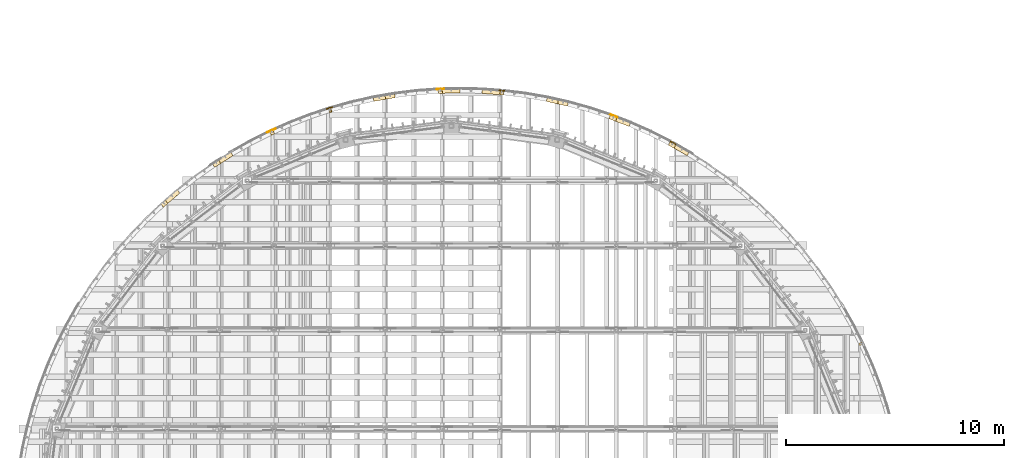
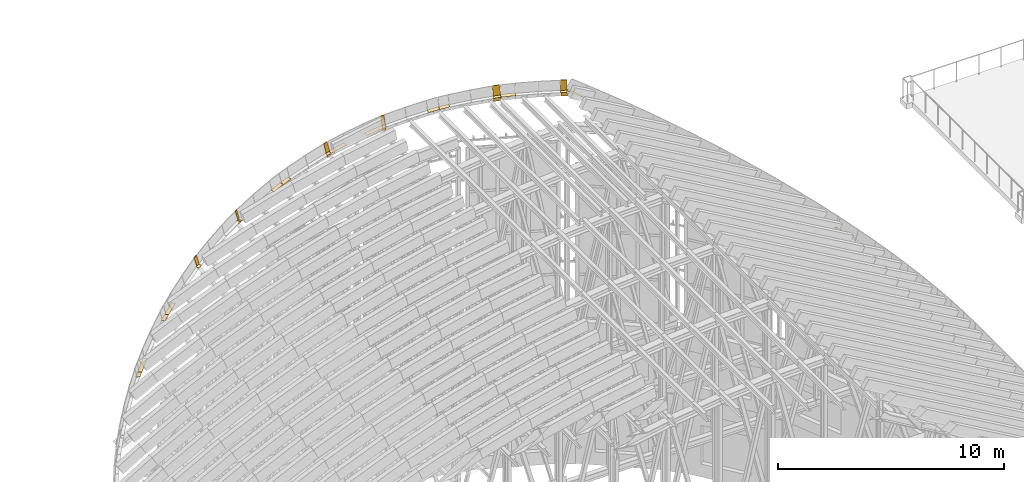
# One storey, part 104 of 105: 25 coverings.
"""IFC4 building model written with IfcOpenShell, lengths in metres."""

from ifc_helpers import new_model, si_unit, direction, frame, origin, origin_2d, place, context, subcontext, project, spatial, polyline, rectangle, outline, extrude, material, material_profile, profile_set, type_object, element, save


model = new_model("IFC4")

# Units and contexts
model_context = context("Model", 3, precision=1e-05, world=origin(), true_north=direction((0.0, 1.0)))
body_context = subcontext(model_context, "Body", "Model", "MODEL_VIEW")
ifc_project = project(units=[si_unit("LENGTHUNIT", "METRE"), si_unit("AREAUNIT", "SQUARE_METRE"), si_unit("VOLUMEUNIT", "CUBIC_METRE"), si_unit("PLANEANGLEUNIT", "RADIAN"), si_unit("MASSUNIT", "GRAM", prefix="KILO")], contexts=[model_context])

# Site, building, storey
site_placement = place(None, origin())
site = spatial("IfcSite", under=ifc_project, at=site_placement, CompositionType="ELEMENT")
building_placement = place(site_placement, origin())
building = spatial("IfcBuilding", under=site, at=building_placement, Name="Wasatch Bagh Community Centre", CompositionType="ELEMENT")
storey_placement = place(building_placement, frame((0.0, 0.0, 16.800048828125)))
storey = spatial("IfcBuildingStorey", under=building, at=storey_placement, Name="L04", CompositionType="ELEMENT", Elevation=16.800048828125)

# Coverings
ifc_material = material(Name="ASTM A653 Grade 50 steel, zinc-aluminium coated", Category="steel")
ifc_material_profile_1 = material_profile(ifc_material, outline(polyline([(-0.080078125, 0.0029296875), (0.152099609375, 0.0029296875), (0.152099609375, -0.031982421875), (0.14892578125, -0.031982421875), (0.14892578125, 0.0), (-0.080078125, 0.0), (-0.080078125, 0.0029296875)])), Name="DRIP EDGE")
ifc_profile_set_1 = profile_set([ifc_material_profile_1], Name="ASTM A653 Grade 50 steel, zinc-aluminium coated")
covering_type_1 = type_object("IfcCoveringType", Name="MH drip edge", PredefinedType="CLADDING", material=ifc_profile_set_1)
covering_1_placement = place(storey_placement, frame((22.736572265625, 80.080810546875, 13.083984375), z_axis=(0.701915068317, 0.605359765857, 0.375306262605), x_axis=(-0.533948239954, 0.795951958722, -0.285236316862)))
element("IfcCovering", 1, at=covering_1_placement, inside=storey, type_object=covering_type_1, Name="Drip edge 103", PredefinedType="CLADDING", context=body_context, shape_type="SweptSolid", body=[
    extrude(outline(polyline([(-0.080078125, 0.0029296875), (0.152099609375, 0.0029296875), (0.152099609375, -0.031982421875), (0.14892578125, -0.031982421875), (0.14892578125, 0.0), (-0.080078125, 0.0), (-0.080078125, 0.0029296875)])), origin(), (0.0, 0.0, 1.0), 0.290771484375),
])
covering_2_placement = place(storey_placement, frame((22.9462890625, 80.26171875, 13.182861328125), z_axis=(0.71357096409, 0.61535835396, 0.334888900114), x_axis=(-0.557005563375, 0.788247477428, -0.261554423969)))
element("IfcCovering", 2, at=covering_2_placement, inside=storey, type_object=covering_type_1, Name="Drip edge 104", PredefinedType="CLADDING", context=body_context, shape_type="SweptSolid", body=[
    extrude(outline(polyline([(-0.080078125, 0.0029296875), (0.152099609375, 0.0029296875), (0.152099609375, -0.031982421875), (0.14892578125, -0.031982421875), (0.14892578125, 0.0), (-0.080078125, 0.0), (-0.080078125, 0.0029296875)])), origin(), (0.0, 0.0, 1.0), 0.75830078125),
])
covering_3_placement = place(storey_placement, frame((25.09716796875, 81.92236328125, 14.192626953125), z_axis=(0.78535948337, 0.497160601526, 0.368838471654), x_axis=(-0.450008908102, 0.867658536631, -0.211330656648)))
element("IfcCovering", 3, at=covering_3_placement, inside=storey, type_object=covering_type_1, Name="Drip edge 107", PredefinedType="CLADDING", context=body_context, shape_type="SweptSolid", body=[
    extrude(outline(polyline([(-0.080078125, 0.0029296875), (0.152099609375, 0.0029296875), (0.152099609375, -0.031982421875), (0.14892578125, -0.031982421875), (0.14892578125, 0.0), (-0.080078125, 0.0), (-0.080078125, 0.0029296875)])), origin(), (0.0, 0.0, 1.0), 0.34814453125),
])
covering_4_placement = place(storey_placement, frame((25.376953125, 82.099609375, 14.312744140625), z_axis=(0.798894158727, 0.505558404166, 0.325850921634), x_axis=(-0.468076679858, 0.86279238033, -0.1910327988)))
element("IfcCovering", 4, at=covering_4_placement, inside=storey, type_object=covering_type_1, Name="Drip edge 108", PredefinedType="CLADDING", context=body_context, shape_type="SweptSolid", body=[
    extrude(outline(polyline([(-0.080078125, 0.0029296875), (0.152099609375, 0.0029296875), (0.152099609375, -0.031982421875), (0.14892578125, -0.031982421875), (0.14892578125, 0.0), (-0.080078125, 0.0), (-0.080078125, 0.0029296875)])), origin(), (0.0, 0.0, 1.0), 0.6982421875),
])
covering_5_placement = place(storey_placement, frame((27.70263671875, 83.397705078125, 15.26123046875), z_axis=(0.856694982485, 0.379393492244, 0.349477159522), x_axis=(-0.351247752952, 0.925235412268, -0.143403095964)))
element("IfcCovering", 5, at=covering_5_placement, inside=storey, type_object=covering_type_1, Name="Drip edge 111", PredefinedType="CLADDING", context=body_context, shape_type="SweptSolid", body=[
    extrude(outline(polyline([(-0.080078125, 0.0029296875), (0.152099609375, 0.0029296875), (0.152099609375, -0.031982421875), (0.14892578125, -0.031982421875), (0.14892578125, 0.0), (-0.080078125, 0.0), (-0.080078125, 0.0029296875)])), origin(), (0.0, 0.0, 1.0), 0.179443359375),
])
covering_6_placement = place(storey_placement, frame((30.398681640625, 84.442626953125, 16.19384765625), z_axis=(0.915191375228, 0.301765804805, 0.267136941958), x_axis=(-0.289634105959, 0.953382073003, -0.084703645385)))
element("IfcCovering", 6, at=covering_6_placement, inside=storey, type_object=covering_type_1, Name="Drip edge 115", PredefinedType="CLADDING", context=body_context, shape_type="SweptSolid", body=[
    extrude(outline(polyline([(-0.080078125, 0.0029296875), (0.152099609375, 0.0029296875), (0.152099609375, -0.031982421875), (0.14892578125, -0.031982421875), (0.14892578125, 0.0), (-0.080078125, 0.0), (-0.080078125, 0.0029296875)])), origin(), (0.0, 0.0, 1.0), 0.0986328125),
])
covering_7_placement = place(storey_placement, frame((32.43359375, 84.959716796875, 16.787841796875), z_axis=(0.947013161457, 0.164171989669, 0.276068161574), x_axis=(-0.157582948766, 0.986431724776, -0.046044181095)))
element("IfcCovering", 7, at=covering_7_placement, inside=storey, type_object=covering_type_1, Name="Drip edge 118", PredefinedType="CLADDING", context=body_context, shape_type="SweptSolid", body=[
    extrude(outline(polyline([(-0.080078125, 0.0029296875), (0.152099609375, 0.0029296875), (0.152099609375, -0.031982421875), (0.14892578125, -0.031982421875), (0.14892578125, 0.0), (-0.080078125, 0.0), (-0.080078125, 0.0029296875)])), origin(), (0.0, 0.0, 1.0), 0.565185546875),
])
covering_8_placement = place(storey_placement, frame((32.976318359375, 85.0537109375, 16.939697265625), z_axis=(0.959544365103, 0.166853803499, 0.226791577571), x_axis=(-0.162387918423, 0.985981646424, -0.038345232636)))
element("IfcCovering", 8, at=covering_8_placement, inside=storey, type_object=covering_type_1, Name="Drip edge 119", PredefinedType="CLADDING", context=body_context, shape_type="SweptSolid", body=[
    extrude(outline(polyline([(-0.080078125, 0.0029296875), (0.152099609375, 0.0029296875), (0.152099609375, -0.031982421875), (0.14892578125, -0.031982421875), (0.14892578125, 0.0), (-0.080078125, 0.0), (-0.080078125, 0.0029296875)])), origin(), (0.0, 0.0, 1.0), 0.4521484375),
])
covering_9_placement = place(storey_placement, frame((35.4052734375, 85.32568359375, 17.514404296875), z_axis=(0.972752598419, 0.022935914248, 0.230708313911), x_axis=(-0.022267916948, 0.999736914851, -0.005499177972)))
element("IfcCovering", 9, at=covering_9_placement, inside=storey, type_object=covering_type_1, Name="Drip edge 122", PredefinedType="CLADDING", context=body_context, shape_type="SweptSolid", body=[
    extrude(outline(polyline([(-0.080078125, 0.0029296875), (0.152099609375, 0.0029296875), (0.152099609375, -0.031982421875), (0.14892578125, -0.031982421875), (0.14892578125, 0.0), (-0.080078125, 0.0), (-0.080078125, 0.0029296875)])), origin(), (0.0, 0.0, 1.0), 0.180908203125),
])
covering_10_placement = place(storey_placement, frame((35.589111328125, 85.330078125, 17.552734375), z_axis=(0.983421826745, 0.024102017539, 0.17972368634), x_axis=(-0.023708125638, 0.999709504159, -0.004339593716)))
element("IfcCovering", 10, at=covering_10_placement, inside=storey, type_object=covering_type_1, Name="Drip edge 123", PredefinedType="CLADDING", context=body_context, shape_type="SweptSolid", body=[
    extrude(outline(polyline([(-0.080078125, 0.0029296875), (0.152099609375, 0.0029296875), (0.152099609375, -0.031982421875), (0.14892578125, -0.031982421875), (0.14892578125, 0.0), (-0.080078125, 0.0), (-0.080078125, 0.0029296875)])), origin(), (0.0, 0.0, 1.0), 0.820556640625),
])
covering_11_placement = place(storey_placement, frame((37.40234375, 85.3251953125, 17.884033203125), z_axis=(0.981116574311, -0.072437305873, 0.179340749219), x_axis=(0.071259546281, 0.997372967579, 0.013009250818)))
element("IfcCovering", 11, at=covering_11_placement, inside=storey, type_object=covering_type_1, Name="Drip edge 125", PredefinedType="CLADDING", context=body_context, shape_type="SweptSolid", body=[
    extrude(outline(polyline([(-0.080078125, 0.0029296875), (0.152099609375, 0.0029296875), (0.152099609375, -0.031982421875), (0.14892578125, -0.031982421875), (0.14892578125, 0.0), (-0.080078125, 0.0), (-0.080078125, 0.0029296875)])), origin(), (0.0, 0.0, 1.0), 0.8359375),
])
covering_12_placement = place(storey_placement, frame((38.23046875, 85.26416015625, 18.031494140625), z_axis=(0.988999917952, -0.073873469481, 0.128147855222), x_axis=(0.073273992334, 0.997267617237, 0.009392638508)))
element("IfcCovering", 12, at=covering_12_placement, inside=storey, type_object=covering_type_1, Name="Drip edge 126", PredefinedType="CLADDING", context=body_context, shape_type="SweptSolid", body=[
    extrude(outline(polyline([(-0.080078125, 0.0029296875), (0.152099609375, 0.0029296875), (0.152099609375, -0.031982421875), (0.14892578125, -0.031982421875), (0.14892578125, 0.0), (-0.080078125, 0.0), (-0.080078125, 0.0029296875)])), origin(), (0.0, 0.0, 1.0), 0.161865234375),
])
covering_13_placement = place(storey_placement, frame((40.3740234375, 84.9580078125, 18.309814453125), z_axis=(0.967980799537, -0.217264076305, 0.125735805862), x_axis=(0.215454435456, 0.97611286291, 0.027983300453)))
element("IfcCovering", 13, at=covering_13_placement, inside=storey, type_object=covering_type_1, Name="Drip edge 129", PredefinedType="CLADDING", context=body_context, shape_type="SweptSolid", body=[
    extrude(outline(polyline([(-0.080078125, 0.0029296875), (0.152099609375, 0.0029296875), (0.152099609375, -0.031982421875), (0.14892578125, -0.031982421875), (0.14892578125, 0.0), (-0.080078125, 0.0), (-0.080078125, 0.0029296875)])), origin(), (0.0, 0.0, 1.0), 0.528076171875),
])
covering_14_placement = place(storey_placement, frame((40.892822265625, 84.841552734375, 18.37451171875), z_axis=(0.972939906106, -0.218447542951, 0.075290172571), x_axis=(0.217792351392, 0.975848691323, 0.016906310003)))
element("IfcCovering", 14, at=covering_14_placement, inside=storey, type_object=covering_type_1, Name="Drip edge 130", PredefinedType="CLADDING", context=body_context, shape_type="SweptSolid", body=[
    extrude(outline(polyline([(-0.080078125, 0.0029296875), (0.152099609375, 0.0029296875), (0.152099609375, -0.031982421875), (0.14892578125, -0.031982421875), (0.14892578125, 0.0), (-0.080078125, 0.0), (-0.080078125, 0.0029296875)])), origin(), (0.0, 0.0, 1.0), 0.46044921875),
])
covering_15_placement = place(storey_placement, frame((43.259521484375, 84.158935546875, 18.55810546875), z_axis=(0.930598188838, -0.358730592149, 0.072796793804), x_axis=(0.357653742925, 0.933441121228, 0.027775409486)))
element("IfcCovering", 15, at=covering_15_placement, inside=storey, type_object=covering_type_1, Name="Drip edge 133", PredefinedType="CLADDING", context=body_context, shape_type="SweptSolid", body=[
    extrude(outline(polyline([(-0.080078125, 0.0029296875), (0.152099609375, 0.0029296875), (0.152099609375, -0.031982421875), (0.14892578125, -0.031982421875), (0.14892578125, 0.0), (-0.080078125, 0.0), (-0.080078125, 0.0029296875)])), origin(), (0.0, 0.0, 1.0), 0.3251953125),
])
covering_16_placement = place(storey_placement, frame((43.569580078125, 84.039306640625, 18.580810546875), z_axis=(0.93278760393, -0.359620022183, 0.024098248909), x_axis=(0.359500043362, 0.933098837018, 0.009288658587)))
element("IfcCovering", 16, at=covering_16_placement, inside=storey, type_object=covering_type_1, Name="Drip edge 134", PredefinedType="CLADDING", context=body_context, shape_type="SweptSolid", body=[
    extrude(outline(polyline([(-0.080078125, 0.0029296875), (0.152099609375, 0.0029296875), (0.152099609375, -0.031982421875), (0.14892578125, -0.031982421875), (0.14892578125, 0.0), (-0.080078125, 0.0), (-0.080078125, 0.0029296875)])), origin(), (0.0, 0.0, 1.0), 0.658447265625),
])
covering_17_placement = place(storey_placement, frame((45.996337890625, 82.945068359375, 18.6435546875), z_axis=(0.870113515799, -0.492356916257, 0.022071172108), x_axis=(0.492192570825, 0.870393373398, 0.01272197981)))
element("IfcCovering", 17, at=covering_17_placement, inside=storey, type_object=covering_type_1, Name="Drip edge 137", PredefinedType="CLADDING", context=body_context, shape_type="SweptSolid", body=[
    extrude(outline(polyline([(-0.080078125, 0.0029296875), (0.152099609375, 0.0029296875), (0.152099609375, -0.031982421875), (0.14892578125, -0.031982421875), (0.14892578125, 0.0), (-0.080078125, 0.0), (-0.080078125, 0.0029296875)])), origin(), (0.0, 0.0, 1.0), 0.28759765625),
])
covering_18_placement = place(storey_placement, frame((46.253173828125, 82.7998046875, 18.7177734375), z_axis=(0.777376884038, -0.440544900829, -0.449004866919), x_axis=(0.381559442656, 0.897730567476, -0.220209491028)))
element("IfcCovering", 18, at=covering_18_placement, inside=storey, type_object=covering_type_1, Name="Drip edge 138", PredefinedType="CLADDING", context=body_context, shape_type="SweptSolid", body=[
    extrude(outline(polyline([(-0.080078125, 0.0029296875), (0.152099609375, 0.0029296875), (0.152099609375, -0.031982421875), (0.14892578125, -0.031982421875), (0.14892578125, 0.0), (-0.080078125, 0.0), (-0.080078125, 0.0029296875)])), origin(), (0.0, 0.0, 1.0), 0.779296875),
])
covering_19_placement = place(storey_placement, frame((54.751708984375, 73.7890625, 13.81103515625), z_axis=(0.434884962404, -0.864799810953, -0.250990749731), x_axis=(0.748987119776, 0.502116805755, -0.432315865761)))
element("IfcCovering", 19, at=covering_19_placement, inside=storey, type_object=covering_type_1, Name="Drip edge 151", PredefinedType="CLADDING", context=body_context, shape_type="SweptSolid", body=[
    extrude(outline(polyline([(-0.080078125, 0.0029296875), (0.152099609375, 0.0029296875), (0.152099609375, -0.031982421875), (0.14892578125, -0.031982421875), (0.14892578125, 0.0), (-0.080078125, 0.0), (-0.080078125, 0.0029296875)])), origin(), (0.0, 0.0, 1.0), 0.09814453125),
])
ifc_material_profile_2 = material_profile(ifc_material, rectangle(XDim=0.0400390625, YDim=0.85009765625, at=origin_2d()), Name="FASCIA 40x850")
ifc_profile_set_2 = profile_set([ifc_material_profile_2], Name="ASTM A653 Grade 50 steel, zinc-aluminium coated")
covering_type_2 = type_object("IfcCoveringType", Name="MH eave fascia 40x850", PredefinedType="CLADDING", material=ifc_profile_set_2)
covering_20_placement = place(storey_placement, frame((27.654052734375, 83.50732421875, 15.4130859375), z_axis=(0.856252554231, 0.38055669077, 0.349296676885), x_axis=(-0.406138466053, 0.91381154862, 0.0)))
element("IfcCovering", 20, at=covering_20_placement, inside=storey, type_object=covering_type_2, Name="Eave fascia 111", PredefinedType="CLADDING", context=body_context, shape_type="SweptSolid", body=[
    extrude(rectangle(XDim=0.0400390625, YDim=0.85009765625, at=origin_2d()), origin(), (0.0, 0.0, 1.0), 0.1796875),
])
covering_21_placement = place(storey_placement, frame((30.361083984375, 84.556640625, 16.334228515625), z_axis=(0.915191375228, 0.301765804805, 0.267136941958), x_axis=(-0.313145974944, 0.949705005976, 0.0)))
element("IfcCovering", 21, at=covering_21_placement, inside=storey, type_object=covering_type_2, Name="Eave fascia 115", PredefinedType="CLADDING", context=body_context, shape_type="SweptSolid", body=[
    extrude(rectangle(XDim=0.0400390625, YDim=0.85009765625, at=origin_2d()), origin(), (0.0, 0.0, 1.0), 0.0986328125),
])
covering_22_placement = place(storey_placement, frame((35.40234375, 85.445556640625, 17.65087890625), z_axis=(0.973023623556, 0.024291851906, 0.229423045776), x_axis=(-0.024957549533, 0.999688511848, 0.0)))
element("IfcCovering", 22, at=covering_22_placement, inside=storey, type_object=covering_type_2, Name="Eave fascia 122", PredefinedType="CLADDING", context=body_context, shape_type="SweptSolid", body=[
    extrude(rectangle(XDim=0.0400390625, YDim=0.85009765625, at=origin_2d()), origin(), (0.0, 0.0, 1.0), 0.180908203125),
])
covering_23_placement = place(storey_placement, frame((38.2392578125, 85.3837890625, 18.159912109375), z_axis=(0.988916755357, -0.072359762587, 0.129644574635), x_axis=(0.072975638312, 0.997333723592, 0.0)))
element("IfcCovering", 23, at=covering_23_placement, inside=storey, type_object=covering_type_2, Name="Eave fascia 126", PredefinedType="CLADDING", context=body_context, shape_type="SweptSolid", body=[
    extrude(rectangle(XDim=0.0400390625, YDim=0.85009765625, at=origin_2d()), origin(), (0.0, 0.0, 1.0), 0.161865234375),
])
covering_24_placement = place(storey_placement, frame((43.302734375, 84.27099609375, 18.684326171875), z_axis=(0.930398033826, -0.359403756615, 0.072030815522), x_axis=(0.360339772663, 0.932821123387, 0.0)))
element("IfcCovering", 24, at=covering_24_placement, inside=storey, type_object=covering_type_2, Name="Eave fascia 133", PredefinedType="CLADDING", context=body_context, shape_type="SweptSolid", body=[
    extrude(rectangle(XDim=0.0400390625, YDim=0.85009765625, at=origin_2d()), origin(), (0.0, 0.0, 1.0), 0.325439453125),
])
covering_25_placement = place(storey_placement, frame((46.0556640625, 83.049560546875, 18.7685546875), z_axis=(0.869890453235, -0.492711389528, 0.022936564685), x_axis=(0.492841044969, 0.870119362153, 0.0)))
element("IfcCovering", 25, at=covering_25_placement, inside=storey, type_object=covering_type_2, Name="Eave fascia 137", PredefinedType="CLADDING", context=body_context, shape_type="SweptSolid", body=[
    extrude(rectangle(XDim=0.0400390625, YDim=0.85009765625, at=origin_2d()), origin(), (0.0, 0.0, 1.0), 0.287353515625),
])

save(model, "model.ifc")
